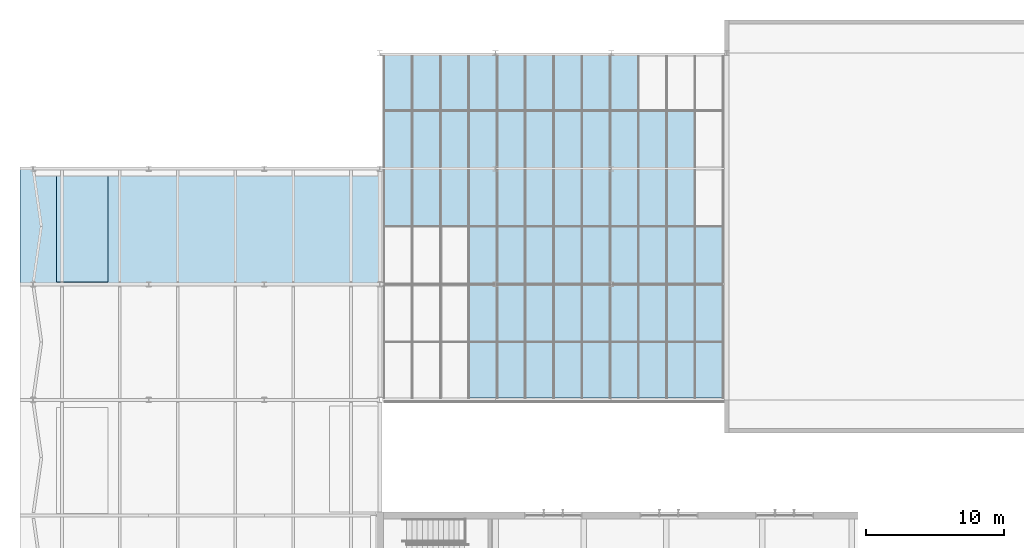
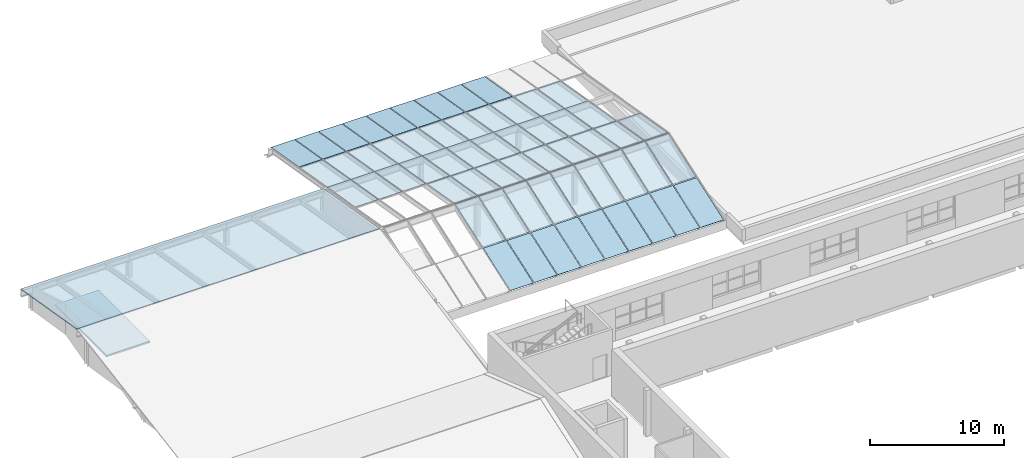
# One storey, part 33 of 60: 58 plates, 2 slabs, 2 elements without a shape of their own.
"""IFC4 building model written with IfcOpenShell, lengths in metres."""

from ifc_helpers import new_model, si_unit, direction, frame, origin, place, context, subcontext, project, spatial, polyline, outline, extrude, material, layer, layer_set, type_object, element, aggregate, save


model = new_model("IFC4")

# Units and contexts
model_context = context("Model", 3, precision=1e-05, world=origin(), true_north=direction((0.0, 1.0)))
body_context = subcontext(model_context, "Body", "Model", "MODEL_VIEW")
ifc_project = project(units=[si_unit("LENGTHUNIT", "METRE"), si_unit("AREAUNIT", "SQUARE_METRE"), si_unit("VOLUMEUNIT", "CUBIC_METRE"), si_unit("PLANEANGLEUNIT", "RADIAN"), si_unit("MASSUNIT", "GRAM", prefix="KILO")], contexts=[model_context])

# Site, building, storey
site_placement = place(None, origin())
site = spatial("IfcSite", under=ifc_project, at=site_placement, CompositionType="ELEMENT")
building_placement = place(site_placement, origin())
building = spatial("IfcBuilding", under=site, at=building_placement, Name="Ljudholm Concert House", CompositionType="ELEMENT")
storey_placement = place(building_placement, frame((0.0, 0.0, 15.0)))
storey = spatial("IfcBuildingStorey", under=building, at=storey_placement, Name="L03", CompositionType="ELEMENT", Elevation=15.0)

# Curtain wall, plates
ifc_material_1 = material(Name="Aluminium roof glazing with impact-rated laminated glass", Category="aluminium")
curtain_wall_type = type_object("IfcCurtainWallType", Name="GLAZED LANTERN ROOF", PredefinedType="NOTDEFINED", material=ifc_material_1)
curtain_wall_1_placement = place(storey_placement, origin())
curtain_wall_1 = element("IfcCurtainWall", 1, at=curtain_wall_1_placement, inside=storey, type_object=curtain_wall_type, Name="Glazed lantern roof", PredefinedType="NOTDEFINED")
ifc_material_2 = material(Name="Laminated impact-rated glass", Category="glass")
ifc_layer_1 = layer(ifc_material_2, 0.028076171875)
ifc_layer_set_1 = layer_set([ifc_layer_1], Name="Laminated impact-rated glass")
plate_type = type_object("IfcPlateType", Name="LANTERN GLASS PANEL 28", PredefinedType="CURTAIN_PANEL", material=ifc_layer_set_1)
plate_1_placement = place(storey_placement, frame((35.6923828125, 104.919921875, 0.682373046875), z_axis=(0.0, -0.332340085799, 0.943159619243), x_axis=(1.0, 0.0, 0.0)))
plate_1 = element("IfcPlate", 2, at=plate_1_placement, type_object=plate_type, Name="Lantern glass panel", PredefinedType="CURTAIN_PANEL", context=body_context, shape_type="SweptSolid", body=[
    extrude(outline(polyline([(0.0, 0.0), (1.994384765625, 0.0), (1.994384765625, 4.283515727424715), (0.0, 4.283515727424715), (0.0, 0.0)])), origin(), (0.0, 0.0, -1.0), 0.028076171875),
])
plate_2_placement = place(storey_placement, frame((35.6923828125, 109.0400390625, 2.134033203125), z_axis=(0.0, -0.332356366317, 0.943153882338), x_axis=(1.0, 0.0, 0.0)))
plate_2 = element("IfcPlate", 3, at=plate_2_placement, type_object=plate_type, Name="Lantern glass panel", PredefinedType="CURTAIN_PANEL", context=body_context, shape_type="SweptSolid", body=[
    extrude(outline(polyline([(0.0, 0.0), (1.994384765625, 0.0), (1.994384765625, 4.37880062823221), (0.0, 4.37880062823221), (0.0, 0.0)])), origin(), (0.0, 0.0, -1.0), 0.028076171875),
])
plate_3_placement = place(storey_placement, frame((37.74658203125, 104.919921875, 0.682373046875), z_axis=(0.0, -0.332340085799, 0.943159619243), x_axis=(1.0, 0.0, 0.0)))
plate_3 = element("IfcPlate", 4, at=plate_3_placement, type_object=plate_type, Name="Lantern glass panel", PredefinedType="CURTAIN_PANEL", context=body_context, shape_type="SweptSolid", body=[
    extrude(outline(polyline([(0.0, 0.0), (1.994140625, 0.0), (1.994140625, 4.283515727424715), (0.0, 4.283515727424715), (0.0, 0.0)])), origin(), (0.0, 0.0, -1.0), 0.028076171875),
])
plate_4_placement = place(storey_placement, frame((37.74658203125, 109.0400390625, 2.134033203125), z_axis=(0.0, -0.332356366317, 0.943153882338), x_axis=(1.0, 0.0, 0.0)))
plate_4 = element("IfcPlate", 5, at=plate_4_placement, type_object=plate_type, Name="Lantern glass panel", PredefinedType="CURTAIN_PANEL", context=body_context, shape_type="SweptSolid", body=[
    extrude(outline(polyline([(0.0, 0.0), (1.994140625, 0.0), (1.994140625, 4.378800628232209), (0.0, 4.378800628232209), (0.0, 0.0)])), origin(), (0.0, 0.0, -1.0), 0.028076171875),
])
plate_5_placement = place(storey_placement, frame((39.80078125, 104.919921875, 0.682373046875), z_axis=(0.0, -0.332340085799, 0.943159619243), x_axis=(1.0, 0.0, 0.0)))
plate_5 = element("IfcPlate", 6, at=plate_5_placement, type_object=plate_type, Name="Lantern glass panel", PredefinedType="CURTAIN_PANEL", context=body_context, shape_type="SweptSolid", body=[
    extrude(outline(polyline([(0.0, 0.0), (1.994140625, 0.0), (1.994140625, 4.283515727424715), (0.0, 4.283515727424715), (0.0, 0.0)])), origin(), (0.0, 0.0, -1.0), 0.028076171875),
])
plate_6_placement = place(storey_placement, frame((39.80078125, 109.0400390625, 2.134033203125), z_axis=(0.0, -0.332356366317, 0.943153882338), x_axis=(1.0, 0.0, 0.0)))
plate_6 = element("IfcPlate", 7, at=plate_6_placement, type_object=plate_type, Name="Lantern glass panel", PredefinedType="CURTAIN_PANEL", context=body_context, shape_type="SweptSolid", body=[
    extrude(outline(polyline([(0.0, 0.0), (1.994140625, 0.0), (1.994140625, 4.378800628232209), (0.0, 4.378800628232209), (0.0, 0.0)])), origin(), (0.0, 0.0, -1.0), 0.028076171875),
])
plate_7_placement = place(storey_placement, frame((41.85498046875, 104.919921875, 0.682373046875), z_axis=(0.0, -0.332340085799, 0.943159619243), x_axis=(1.0, 0.0, 0.0)))
plate_7 = element("IfcPlate", 8, at=plate_7_placement, type_object=plate_type, Name="Lantern glass panel", PredefinedType="CURTAIN_PANEL", context=body_context, shape_type="SweptSolid", body=[
    extrude(outline(polyline([(0.0, 0.0), (1.994140625, 0.0), (1.994140625, 4.283515727424715), (0.0, 4.283515727424715), (0.0, 0.0)])), origin(), (0.0, 0.0, -1.0), 0.028076171875),
])
plate_8_placement = place(storey_placement, frame((41.85498046875, 109.0400390625, 2.134033203125), z_axis=(0.0, -0.332356366317, 0.943153882338), x_axis=(1.0, 0.0, 0.0)))
plate_8 = element("IfcPlate", 9, at=plate_8_placement, type_object=plate_type, Name="Lantern glass panel", PredefinedType="CURTAIN_PANEL", context=body_context, shape_type="SweptSolid", body=[
    extrude(outline(polyline([(0.0, 0.0), (1.994140625, 0.0), (1.994140625, 4.378800628232209), (0.0, 4.378800628232209), (0.0, 0.0)])), origin(), (0.0, 0.0, -1.0), 0.028076171875),
])
plate_9_placement = place(storey_placement, frame((43.9091796875, 104.919921875, 0.682373046875), z_axis=(0.0, -0.332340085799, 0.943159619243), x_axis=(1.0, 0.0, 0.0)))
plate_9 = element("IfcPlate", 10, at=plate_9_placement, type_object=plate_type, Name="Lantern glass panel", PredefinedType="CURTAIN_PANEL", context=body_context, shape_type="SweptSolid", body=[
    extrude(outline(polyline([(0.0, 0.0), (1.994140625, 0.0), (1.994140625, 4.283515727424715), (0.0, 4.283515727424715), (0.0, 0.0)])), origin(), (0.0, 0.0, -1.0), 0.028076171875),
])
plate_10_placement = place(storey_placement, frame((43.9091796875, 109.0400390625, 2.134033203125), z_axis=(0.0, -0.332356366317, 0.943153882338), x_axis=(1.0, 0.0, 0.0)))
plate_10 = element("IfcPlate", 11, at=plate_10_placement, type_object=plate_type, Name="Lantern glass panel", PredefinedType="CURTAIN_PANEL", context=body_context, shape_type="SweptSolid", body=[
    extrude(outline(polyline([(0.0, 0.0), (1.994140625, 0.0), (1.994140625, 4.378800628232209), (0.0, 4.378800628232209), (0.0, 0.0)])), origin(), (0.0, 0.0, -1.0), 0.028076171875),
])
plate_11_placement = place(storey_placement, frame((45.96337890625, 104.919921875, 0.682373046875), z_axis=(0.0, -0.332340085799, 0.943159619243), x_axis=(1.0, 0.0, 0.0)))
plate_11 = element("IfcPlate", 12, at=plate_11_placement, type_object=plate_type, Name="Lantern glass panel", PredefinedType="CURTAIN_PANEL", context=body_context, shape_type="SweptSolid", body=[
    extrude(outline(polyline([(0.0, 0.0), (1.994140625, 0.0), (1.994140625, 4.283515727424715), (0.0, 4.283515727424715), (0.0, 0.0)])), origin(), (0.0, 0.0, -1.0), 0.028076171875),
])
plate_12_placement = place(storey_placement, frame((45.96337890625, 109.0400390625, 2.134033203125), z_axis=(0.0, -0.332356366317, 0.943153882338), x_axis=(1.0, 0.0, 0.0)))
plate_12 = element("IfcPlate", 13, at=plate_12_placement, type_object=plate_type, Name="Lantern glass panel", PredefinedType="CURTAIN_PANEL", context=body_context, shape_type="SweptSolid", body=[
    extrude(outline(polyline([(0.0, 0.0), (1.994140625, 0.0), (1.994140625, 4.378800628232209), (0.0, 4.378800628232209), (0.0, 0.0)])), origin(), (0.0, 0.0, -1.0), 0.028076171875),
])
plate_13_placement = place(storey_placement, frame((48.017578125, 104.919921875, 0.682373046875), z_axis=(0.0, -0.332340085799, 0.943159619243), x_axis=(1.0, 0.0, 0.0)))
plate_13 = element("IfcPlate", 14, at=plate_13_placement, type_object=plate_type, Name="Lantern glass panel", PredefinedType="CURTAIN_PANEL", context=body_context, shape_type="SweptSolid", body=[
    extrude(outline(polyline([(0.0, 0.0), (1.994140625, 0.0), (1.994140625, 4.283515727424715), (0.0, 4.283515727424715), (0.0, 0.0)])), origin(), (0.0, 0.0, -1.0), 0.028076171875),
])
plate_14_placement = place(storey_placement, frame((48.017578125, 109.0400390625, 2.134033203125), z_axis=(0.0, -0.332356366317, 0.943153882338), x_axis=(1.0, 0.0, 0.0)))
plate_14 = element("IfcPlate", 15, at=plate_14_placement, type_object=plate_type, Name="Lantern glass panel", PredefinedType="CURTAIN_PANEL", context=body_context, shape_type="SweptSolid", body=[
    extrude(outline(polyline([(0.0, 0.0), (1.994140625, 0.0), (1.994140625, 4.378800628232209), (0.0, 4.378800628232209), (0.0, 0.0)])), origin(), (0.0, 0.0, -1.0), 0.028076171875),
])
plate_15_placement = place(storey_placement, frame((50.07177734375, 104.919921875, 0.682373046875), z_axis=(0.0, -0.332340085799, 0.943159619243), x_axis=(1.0, 0.0, 0.0)))
plate_15 = element("IfcPlate", 16, at=plate_15_placement, type_object=plate_type, Name="Lantern glass panel", PredefinedType="CURTAIN_PANEL", context=body_context, shape_type="SweptSolid", body=[
    extrude(outline(polyline([(0.0, 0.0), (1.994140625, 0.0), (1.994140625, 4.283515727424715), (0.0, 4.283515727424715), (0.0, 0.0)])), origin(), (0.0, 0.0, -1.0), 0.028076171875),
])
plate_16_placement = place(storey_placement, frame((50.07177734375, 109.0400390625, 2.134033203125), z_axis=(0.0, -0.332356366317, 0.943153882338), x_axis=(1.0, 0.0, 0.0)))
plate_16 = element("IfcPlate", 17, at=plate_16_placement, type_object=plate_type, Name="Lantern glass panel", PredefinedType="CURTAIN_PANEL", context=body_context, shape_type="SweptSolid", body=[
    extrude(outline(polyline([(0.0, 0.0), (1.994140625, 0.0), (1.994140625, 4.378800628232209), (0.0, 4.378800628232209), (0.0, 0.0)])), origin(), (0.0, 0.0, -1.0), 0.028076171875),
])
plate_17_placement = place(storey_placement, frame((52.125732421875, 104.919921875, 0.682373046875), z_axis=(0.0, -0.332340085799, 0.943159619243), x_axis=(1.0, 0.0, 0.0)))
plate_17 = element("IfcPlate", 18, at=plate_17_placement, type_object=plate_type, Name="Lantern glass panel", PredefinedType="CURTAIN_PANEL", context=body_context, shape_type="SweptSolid", body=[
    extrude(outline(polyline([(0.0, 0.0), (1.994384765625, 0.0), (1.994384765625, 4.283515727424715), (0.0, 4.283515727424715), (0.0, 0.0)])), origin(), (0.0, 0.0, -1.0), 0.028076171875),
])
plate_18_placement = place(storey_placement, frame((52.125732421875, 109.0400390625, 2.134033203125), z_axis=(0.0, -0.332356366317, 0.943153882338), x_axis=(1.0, 0.0, 0.0)))
plate_18 = element("IfcPlate", 19, at=plate_18_placement, type_object=plate_type, Name="Lantern glass panel", PredefinedType="CURTAIN_PANEL", context=body_context, shape_type="SweptSolid", body=[
    extrude(outline(polyline([(0.0, 0.0), (1.994384765625, 0.0), (1.994384765625, 4.37880062823221), (0.0, 4.37880062823221), (0.0, 0.0)])), origin(), (0.0, 0.0, -1.0), 0.028076171875),
])
aggregate(curtain_wall_1, [plate_1, plate_2, plate_3, plate_4, plate_5, plate_6, plate_7, plate_8, plate_9, plate_10, plate_11, plate_12, plate_13, plate_14, plate_15, plate_16, plate_17, plate_18])

curtain_wall_2_placement = place(storey_placement, origin())
curtain_wall_2 = element("IfcCurtainWall", 20, at=curtain_wall_2_placement, inside=storey, type_object=curtain_wall_type, Name="Glazed lantern roof", PredefinedType="NOTDEFINED")
plate_19_placement = place(storey_placement, frame((29.530029296875, 117.43994140625, 2.876220703125), z_axis=(0.0, 0.168281382128, 0.985739000156), x_axis=(1.0, 0.0, 0.0)))
plate_19 = element("IfcPlate", 21, at=plate_19_placement, type_object=plate_type, Name="Lantern glass panel", PredefinedType="CURTAIN_PANEL", context=body_context, shape_type="SweptSolid", body=[
    extrude(outline(polyline([(0.0, 0.0), (1.994140625, 0.0), (1.994140625, 4.220342554510072), (0.0, 4.220342554510072), (0.0, 0.0)])), origin(), (0.0, 0.0, -1.0), 0.028076171875),
])
plate_20_placement = place(storey_placement, frame((31.584228515625, 117.43994140625, 2.876220703125), z_axis=(0.0, 0.168281382128, 0.985739000156), x_axis=(1.0, 0.0, 0.0)))
plate_20 = element("IfcPlate", 22, at=plate_20_placement, type_object=plate_type, Name="Lantern glass panel", PredefinedType="CURTAIN_PANEL", context=body_context, shape_type="SweptSolid", body=[
    extrude(outline(polyline([(0.0, 0.0), (1.994140625, 0.0), (1.994140625, 4.220342554510072), (0.0, 4.220342554510072), (0.0, 0.0)])), origin(), (0.0, 0.0, -1.0), 0.028076171875),
])
plate_21_placement = place(storey_placement, frame((33.638427734375, 117.43994140625, 2.876220703125), z_axis=(0.0, 0.168281382128, 0.985739000156), x_axis=(1.0, 0.0, 0.0)))
plate_21 = element("IfcPlate", 23, at=plate_21_placement, type_object=plate_type, Name="Lantern glass panel", PredefinedType="CURTAIN_PANEL", context=body_context, shape_type="SweptSolid", body=[
    extrude(outline(polyline([(0.0, 0.0), (1.994140625, 0.0), (1.994140625, 4.220342554510072), (0.0, 4.220342554510072), (0.0, 0.0)])), origin(), (0.0, 0.0, -1.0), 0.028076171875),
])
plate_22_placement = place(storey_placement, frame((35.6923828125, 113.22998046875, 3.594970703125), z_axis=(0.0, 0.168281272478, 0.985739018875), x_axis=(1.0, 0.0, 0.0)))
plate_22 = element("IfcPlate", 24, at=plate_22_placement, type_object=plate_type, Name="Lantern glass panel", PredefinedType="CURTAIN_PANEL", context=body_context, shape_type="SweptSolid", body=[
    extrude(outline(polyline([(0.0, 0.0), (1.994384765625, 0.0), (1.994384765625, 4.189878734675158), (0.0, 4.189878734675158), (0.0, 0.0)])), origin(), (0.0, 0.0, -1.0), 0.028076171875),
])
plate_23_placement = place(storey_placement, frame((35.6923828125, 117.43994140625, 2.876220703125), z_axis=(0.0, 0.168281382128, 0.985739000156), x_axis=(1.0, 0.0, 0.0)))
plate_23 = element("IfcPlate", 25, at=plate_23_placement, type_object=plate_type, Name="Lantern glass panel", PredefinedType="CURTAIN_PANEL", context=body_context, shape_type="SweptSolid", body=[
    extrude(outline(polyline([(0.0, 0.0), (1.994384765625, 0.0), (1.994384765625, 4.220342554510072), (0.0, 4.220342554510072), (0.0, 0.0)])), origin(), (0.0, 0.0, -1.0), 0.028076171875),
])
plate_24_placement = place(storey_placement, frame((37.74658203125, 113.22998046875, 3.594970703125), z_axis=(0.0, 0.168281272478, 0.985739018875), x_axis=(1.0, 0.0, 0.0)))
plate_24 = element("IfcPlate", 26, at=plate_24_placement, type_object=plate_type, Name="Lantern glass panel", PredefinedType="CURTAIN_PANEL", context=body_context, shape_type="SweptSolid", body=[
    extrude(outline(polyline([(0.0, 0.0), (1.994140625, 0.0), (1.994140625, 4.189878734675158), (0.0, 4.189878734675158), (0.0, 0.0)])), origin(), (0.0, 0.0, -1.0), 0.028076171875),
])
plate_25_placement = place(storey_placement, frame((37.74658203125, 117.43994140625, 2.876220703125), z_axis=(0.0, 0.168281382128, 0.985739000156), x_axis=(1.0, 0.0, 0.0)))
plate_25 = element("IfcPlate", 27, at=plate_25_placement, type_object=plate_type, Name="Lantern glass panel", PredefinedType="CURTAIN_PANEL", context=body_context, shape_type="SweptSolid", body=[
    extrude(outline(polyline([(0.0, 0.0), (1.994140625, 0.0), (1.994140625, 4.220342554510072), (0.0, 4.220342554510072), (0.0, 0.0)])), origin(), (0.0, 0.0, -1.0), 0.028076171875),
])
plate_26_placement = place(storey_placement, frame((39.80078125, 113.22998046875, 3.594970703125), z_axis=(0.0, 0.168281272478, 0.985739018875), x_axis=(1.0, 0.0, 0.0)))
plate_26 = element("IfcPlate", 28, at=plate_26_placement, type_object=plate_type, Name="Lantern glass panel", PredefinedType="CURTAIN_PANEL", context=body_context, shape_type="SweptSolid", body=[
    extrude(outline(polyline([(0.0, 0.0), (1.994140625, 0.0), (1.994140625, 4.189878734675158), (0.0, 4.189878734675158), (0.0, 0.0)])), origin(), (0.0, 0.0, -1.0), 0.028076171875),
])
plate_27_placement = place(storey_placement, frame((39.80078125, 117.43994140625, 2.876220703125), z_axis=(0.0, 0.168281382128, 0.985739000156), x_axis=(1.0, 0.0, 0.0)))
plate_27 = element("IfcPlate", 29, at=plate_27_placement, type_object=plate_type, Name="Lantern glass panel", PredefinedType="CURTAIN_PANEL", context=body_context, shape_type="SweptSolid", body=[
    extrude(outline(polyline([(0.0, 0.0), (1.994140625, 0.0), (1.994140625, 4.220342554510072), (0.0, 4.220342554510072), (0.0, 0.0)])), origin(), (0.0, 0.0, -1.0), 0.028076171875),
])
plate_28_placement = place(storey_placement, frame((41.85498046875, 113.22998046875, 3.594970703125), z_axis=(0.0, 0.168281272478, 0.985739018875), x_axis=(1.0, 0.0, 0.0)))
plate_28 = element("IfcPlate", 30, at=plate_28_placement, type_object=plate_type, Name="Lantern glass panel", PredefinedType="CURTAIN_PANEL", context=body_context, shape_type="SweptSolid", body=[
    extrude(outline(polyline([(0.0, 0.0), (1.994140625, 0.0), (1.994140625, 4.189878734675158), (0.0, 4.189878734675158), (0.0, 0.0)])), origin(), (0.0, 0.0, -1.0), 0.028076171875),
])
plate_29_placement = place(storey_placement, frame((41.85498046875, 117.43994140625, 2.876220703125), z_axis=(0.0, 0.168281382128, 0.985739000156), x_axis=(1.0, 0.0, 0.0)))
plate_29 = element("IfcPlate", 31, at=plate_29_placement, type_object=plate_type, Name="Lantern glass panel", PredefinedType="CURTAIN_PANEL", context=body_context, shape_type="SweptSolid", body=[
    extrude(outline(polyline([(0.0, 0.0), (1.994140625, 0.0), (1.994140625, 4.220342554510072), (0.0, 4.220342554510072), (0.0, 0.0)])), origin(), (0.0, 0.0, -1.0), 0.028076171875),
])
plate_30_placement = place(storey_placement, frame((43.9091796875, 113.22998046875, 3.594970703125), z_axis=(0.0, 0.168281272478, 0.985739018875), x_axis=(1.0, 0.0, 0.0)))
plate_30 = element("IfcPlate", 32, at=plate_30_placement, type_object=plate_type, Name="Lantern glass panel", PredefinedType="CURTAIN_PANEL", context=body_context, shape_type="SweptSolid", body=[
    extrude(outline(polyline([(0.0, 0.0), (1.994140625, 0.0), (1.994140625, 4.189878734675158), (0.0, 4.189878734675158), (0.0, 0.0)])), origin(), (0.0, 0.0, -1.0), 0.028076171875),
])
plate_31_placement = place(storey_placement, frame((43.9091796875, 117.43994140625, 2.876220703125), z_axis=(0.0, 0.168281382128, 0.985739000156), x_axis=(1.0, 0.0, 0.0)))
plate_31 = element("IfcPlate", 33, at=plate_31_placement, type_object=plate_type, Name="Lantern glass panel", PredefinedType="CURTAIN_PANEL", context=body_context, shape_type="SweptSolid", body=[
    extrude(outline(polyline([(0.0, 0.0), (1.994140625, 0.0), (1.994140625, 4.220342554510072), (0.0, 4.220342554510072), (0.0, 0.0)])), origin(), (0.0, 0.0, -1.0), 0.028076171875),
])
plate_32_placement = place(storey_placement, frame((45.96337890625, 113.22998046875, 3.594970703125), z_axis=(0.0, 0.168281272478, 0.985739018875), x_axis=(1.0, 0.0, 0.0)))
plate_32 = element("IfcPlate", 34, at=plate_32_placement, type_object=plate_type, Name="Lantern glass panel", PredefinedType="CURTAIN_PANEL", context=body_context, shape_type="SweptSolid", body=[
    extrude(outline(polyline([(0.0, 0.0), (1.994140625, 0.0), (1.994140625, 4.189878734675158), (0.0, 4.189878734675158), (0.0, 0.0)])), origin(), (0.0, 0.0, -1.0), 0.028076171875),
])
plate_33_placement = place(storey_placement, frame((45.96337890625, 117.43994140625, 2.876220703125), z_axis=(0.0, 0.168281382128, 0.985739000156), x_axis=(1.0, 0.0, 0.0)))
plate_33 = element("IfcPlate", 35, at=plate_33_placement, type_object=plate_type, Name="Lantern glass panel", PredefinedType="CURTAIN_PANEL", context=body_context, shape_type="SweptSolid", body=[
    extrude(outline(polyline([(0.0, 0.0), (1.994140625, 0.0), (1.994140625, 4.220342554510072), (0.0, 4.220342554510072), (0.0, 0.0)])), origin(), (0.0, 0.0, -1.0), 0.028076171875),
])
plate_34_placement = place(storey_placement, frame((48.017578125, 113.22998046875, 3.594970703125), z_axis=(0.0, 0.168281272478, 0.985739018875), x_axis=(1.0, 0.0, 0.0)))
plate_34 = element("IfcPlate", 36, at=plate_34_placement, type_object=plate_type, Name="Lantern glass panel", PredefinedType="CURTAIN_PANEL", context=body_context, shape_type="SweptSolid", body=[
    extrude(outline(polyline([(0.0, 0.0), (1.994140625, 0.0), (1.994140625, 4.189878734675158), (0.0, 4.189878734675158), (0.0, 0.0)])), origin(), (0.0, 0.0, -1.0), 0.028076171875),
])
plate_35_placement = place(storey_placement, frame((48.017578125, 117.43994140625, 2.876220703125), z_axis=(0.0, 0.168281382128, 0.985739000156), x_axis=(1.0, 0.0, 0.0)))
plate_35 = element("IfcPlate", 37, at=plate_35_placement, type_object=plate_type, Name="Lantern glass panel", PredefinedType="CURTAIN_PANEL", context=body_context, shape_type="SweptSolid", body=[
    extrude(outline(polyline([(0.0, 0.0), (1.994140625, 0.0), (1.994140625, 4.220342554510072), (0.0, 4.220342554510072), (0.0, 0.0)])), origin(), (0.0, 0.0, -1.0), 0.028076171875),
])
plate_36_placement = place(storey_placement, frame((50.07177734375, 113.22998046875, 3.594970703125), z_axis=(0.0, 0.168281272478, 0.985739018875), x_axis=(1.0, 0.0, 0.0)))
plate_36 = element("IfcPlate", 38, at=plate_36_placement, type_object=plate_type, Name="Lantern glass panel", PredefinedType="CURTAIN_PANEL", context=body_context, shape_type="SweptSolid", body=[
    extrude(outline(polyline([(0.0, 0.0), (1.994140625, 0.0), (1.994140625, 4.189878734675158), (0.0, 4.189878734675158), (0.0, 0.0)])), origin(), (0.0, 0.0, -1.0), 0.028076171875),
])
plate_37_placement = place(storey_placement, frame((50.07177734375, 117.43994140625, 2.876220703125), z_axis=(0.0, 0.168281382128, 0.985739000156), x_axis=(1.0, 0.0, 0.0)))
plate_37 = element("IfcPlate", 39, at=plate_37_placement, type_object=plate_type, Name="Lantern glass panel", PredefinedType="CURTAIN_PANEL", context=body_context, shape_type="SweptSolid", body=[
    extrude(outline(polyline([(0.0, 0.0), (1.994140625, 0.0), (1.994140625, 4.220342554510072), (0.0, 4.220342554510072), (0.0, 0.0)])), origin(), (0.0, 0.0, -1.0), 0.028076171875),
])
plate_38_placement = place(storey_placement, frame((52.125732421875, 113.22998046875, 3.594970703125), z_axis=(0.0, 0.168281272478, 0.985739018875), x_axis=(1.0, 0.0, 0.0)))
plate_38 = element("IfcPlate", 40, at=plate_38_placement, type_object=plate_type, Name="Lantern glass panel", PredefinedType="CURTAIN_PANEL", context=body_context, shape_type="SweptSolid", body=[
    extrude(outline(polyline([(0.0, 0.0), (1.994384765625, 0.0), (1.994384765625, 4.189878734675158), (0.0, 4.189878734675158), (0.0, 0.0)])), origin(), (0.0, 0.0, -1.0), 0.028076171875),
])
plate_39_placement = place(storey_placement, frame((29.530029296875, 121.60009765625, 2.166015625), z_axis=(0.0, 0.16829097867, 0.985737361825), x_axis=(1.0, 0.0, 0.0)))
plate_39 = element("IfcPlate", 41, at=plate_39_placement, type_object=plate_type, Name="Lantern glass panel", PredefinedType="CURTAIN_PANEL", context=body_context, shape_type="SweptSolid", body=[
    extrude(outline(polyline([(0.0, 0.0), (1.994140625, 0.0), (1.994140625, 4.220101895774473), (0.0, 4.220101895774473), (0.0, 0.0)])), origin(), (0.0, 0.0, -1.0), 0.028076171875),
])
plate_40_placement = place(storey_placement, frame((29.530029296875, 125.840087890625, 1.442138671875), z_axis=(0.0, 0.16829097867, 0.985737361825), x_axis=(1.0, 0.0, 0.0)))
plate_40 = element("IfcPlate", 42, at=plate_40_placement, type_object=plate_type, Name="Lantern glass panel", PredefinedType="CURTAIN_PANEL", context=body_context, shape_type="SweptSolid", body=[
    extrude(outline(polyline([(0.0, 0.0), (1.994140625, 0.0), (1.994140625, 4.220101895774473), (0.0, 4.220101895774473), (0.0, 0.0)])), origin(), (0.0, 0.0, -1.0), 0.028076171875),
])
plate_41_placement = place(storey_placement, frame((31.584228515625, 121.60009765625, 2.166015625), z_axis=(0.0, 0.16829097867, 0.985737361825), x_axis=(1.0, 0.0, 0.0)))
plate_41 = element("IfcPlate", 43, at=plate_41_placement, type_object=plate_type, Name="Lantern glass panel", PredefinedType="CURTAIN_PANEL", context=body_context, shape_type="SweptSolid", body=[
    extrude(outline(polyline([(0.0, 0.0), (1.994140625, 0.0), (1.994140625, 4.220101895774473), (0.0, 4.220101895774473), (0.0, 0.0)])), origin(), (0.0, 0.0, -1.0), 0.028076171875),
])
plate_42_placement = place(storey_placement, frame((31.584228515625, 125.840087890625, 1.442138671875), z_axis=(0.0, 0.16829097867, 0.985737361825), x_axis=(1.0, 0.0, 0.0)))
plate_42 = element("IfcPlate", 44, at=plate_42_placement, type_object=plate_type, Name="Lantern glass panel", PredefinedType="CURTAIN_PANEL", context=body_context, shape_type="SweptSolid", body=[
    extrude(outline(polyline([(0.0, 0.0), (1.994140625, 0.0), (1.994140625, 4.220101895774473), (0.0, 4.220101895774473), (0.0, 0.0)])), origin(), (0.0, 0.0, -1.0), 0.028076171875),
])
plate_43_placement = place(storey_placement, frame((33.638427734375, 121.60009765625, 2.166015625), z_axis=(0.0, 0.16829097867, 0.985737361825), x_axis=(1.0, 0.0, 0.0)))
plate_43 = element("IfcPlate", 45, at=plate_43_placement, type_object=plate_type, Name="Lantern glass panel", PredefinedType="CURTAIN_PANEL", context=body_context, shape_type="SweptSolid", body=[
    extrude(outline(polyline([(0.0, 0.0), (1.994140625, 0.0), (1.994140625, 4.220101895774473), (0.0, 4.220101895774473), (0.0, 0.0)])), origin(), (0.0, 0.0, -1.0), 0.028076171875),
])
plate_44_placement = place(storey_placement, frame((33.638427734375, 125.840087890625, 1.442138671875), z_axis=(0.0, 0.16829097867, 0.985737361825), x_axis=(1.0, 0.0, 0.0)))
plate_44 = element("IfcPlate", 46, at=plate_44_placement, type_object=plate_type, Name="Lantern glass panel", PredefinedType="CURTAIN_PANEL", context=body_context, shape_type="SweptSolid", body=[
    extrude(outline(polyline([(0.0, 0.0), (1.994140625, 0.0), (1.994140625, 4.220101895774473), (0.0, 4.220101895774473), (0.0, 0.0)])), origin(), (0.0, 0.0, -1.0), 0.028076171875),
])
plate_45_placement = place(storey_placement, frame((35.6923828125, 121.60009765625, 2.166015625), z_axis=(0.0, 0.16829097867, 0.985737361825), x_axis=(1.0, 0.0, 0.0)))
plate_45 = element("IfcPlate", 47, at=plate_45_placement, type_object=plate_type, Name="Lantern glass panel", PredefinedType="CURTAIN_PANEL", context=body_context, shape_type="SweptSolid", body=[
    extrude(outline(polyline([(0.0, 0.0), (1.994384765625, 0.0), (1.994384765625, 4.220101895774473), (0.0, 4.220101895774473), (0.0, 0.0)])), origin(), (0.0, 0.0, -1.0), 0.028076171875),
])
plate_46_placement = place(storey_placement, frame((35.6923828125, 125.840087890625, 1.442138671875), z_axis=(0.0, 0.16829097867, 0.985737361825), x_axis=(1.0, 0.0, 0.0)))
plate_46 = element("IfcPlate", 48, at=plate_46_placement, type_object=plate_type, Name="Lantern glass panel", PredefinedType="CURTAIN_PANEL", context=body_context, shape_type="SweptSolid", body=[
    extrude(outline(polyline([(0.0, 0.0), (1.994384765625, 0.0), (1.994384765625, 4.220101895774473), (0.0, 4.220101895774473), (0.0, 0.0)])), origin(), (0.0, 0.0, -1.0), 0.028076171875),
])
plate_47_placement = place(storey_placement, frame((37.74658203125, 121.60009765625, 2.166015625), z_axis=(0.0, 0.16829097867, 0.985737361825), x_axis=(1.0, 0.0, 0.0)))
plate_47 = element("IfcPlate", 49, at=plate_47_placement, type_object=plate_type, Name="Lantern glass panel", PredefinedType="CURTAIN_PANEL", context=body_context, shape_type="SweptSolid", body=[
    extrude(outline(polyline([(0.0, 0.0), (1.994140625, 0.0), (1.994140625, 4.220101895774473), (0.0, 4.220101895774473), (0.0, 0.0)])), origin(), (0.0, 0.0, -1.0), 0.028076171875),
])
plate_48_placement = place(storey_placement, frame((37.74658203125, 125.840087890625, 1.442138671875), z_axis=(0.0, 0.16829097867, 0.985737361825), x_axis=(1.0, 0.0, 0.0)))
plate_48 = element("IfcPlate", 50, at=plate_48_placement, type_object=plate_type, Name="Lantern glass panel", PredefinedType="CURTAIN_PANEL", context=body_context, shape_type="SweptSolid", body=[
    extrude(outline(polyline([(0.0, 0.0), (1.994140625, 0.0), (1.994140625, 4.220101895774473), (0.0, 4.220101895774473), (0.0, 0.0)])), origin(), (0.0, 0.0, -1.0), 0.028076171875),
])
plate_49_placement = place(storey_placement, frame((39.80078125, 121.60009765625, 2.166015625), z_axis=(0.0, 0.16829097867, 0.985737361825), x_axis=(1.0, 0.0, 0.0)))
plate_49 = element("IfcPlate", 51, at=plate_49_placement, type_object=plate_type, Name="Lantern glass panel", PredefinedType="CURTAIN_PANEL", context=body_context, shape_type="SweptSolid", body=[
    extrude(outline(polyline([(0.0, 0.0), (1.994140625, 0.0), (1.994140625, 4.220101895774473), (0.0, 4.220101895774473), (0.0, 0.0)])), origin(), (0.0, 0.0, -1.0), 0.028076171875),
])
plate_50_placement = place(storey_placement, frame((39.80078125, 125.840087890625, 1.442138671875), z_axis=(0.0, 0.16829097867, 0.985737361825), x_axis=(1.0, 0.0, 0.0)))
plate_50 = element("IfcPlate", 52, at=plate_50_placement, type_object=plate_type, Name="Lantern glass panel", PredefinedType="CURTAIN_PANEL", context=body_context, shape_type="SweptSolid", body=[
    extrude(outline(polyline([(0.0, 0.0), (1.994140625, 0.0), (1.994140625, 4.220101895774473), (0.0, 4.220101895774473), (0.0, 0.0)])), origin(), (0.0, 0.0, -1.0), 0.028076171875),
])
plate_51_placement = place(storey_placement, frame((41.85498046875, 121.60009765625, 2.166015625), z_axis=(0.0, 0.16829097867, 0.985737361825), x_axis=(1.0, 0.0, 0.0)))
plate_51 = element("IfcPlate", 53, at=plate_51_placement, type_object=plate_type, Name="Lantern glass panel", PredefinedType="CURTAIN_PANEL", context=body_context, shape_type="SweptSolid", body=[
    extrude(outline(polyline([(0.0, 0.0), (1.994140625, 0.0), (1.994140625, 4.220101895774473), (0.0, 4.220101895774473), (0.0, 0.0)])), origin(), (0.0, 0.0, -1.0), 0.028076171875),
])
plate_52_placement = place(storey_placement, frame((41.85498046875, 125.840087890625, 1.442138671875), z_axis=(0.0, 0.16829097867, 0.985737361825), x_axis=(1.0, 0.0, 0.0)))
plate_52 = element("IfcPlate", 54, at=plate_52_placement, type_object=plate_type, Name="Lantern glass panel", PredefinedType="CURTAIN_PANEL", context=body_context, shape_type="SweptSolid", body=[
    extrude(outline(polyline([(0.0, 0.0), (1.994140625, 0.0), (1.994140625, 4.220101895774473), (0.0, 4.220101895774473), (0.0, 0.0)])), origin(), (0.0, 0.0, -1.0), 0.028076171875),
])
plate_53_placement = place(storey_placement, frame((43.9091796875, 121.60009765625, 2.166015625), z_axis=(0.0, 0.16829097867, 0.985737361825), x_axis=(1.0, 0.0, 0.0)))
plate_53 = element("IfcPlate", 55, at=plate_53_placement, type_object=plate_type, Name="Lantern glass panel", PredefinedType="CURTAIN_PANEL", context=body_context, shape_type="SweptSolid", body=[
    extrude(outline(polyline([(0.0, 0.0), (1.994140625, 0.0), (1.994140625, 4.220101895774473), (0.0, 4.220101895774473), (0.0, 0.0)])), origin(), (0.0, 0.0, -1.0), 0.028076171875),
])
plate_54_placement = place(storey_placement, frame((43.9091796875, 125.840087890625, 1.442138671875), z_axis=(0.0, 0.16829097867, 0.985737361825), x_axis=(1.0, 0.0, 0.0)))
plate_54 = element("IfcPlate", 56, at=plate_54_placement, type_object=plate_type, Name="Lantern glass panel", PredefinedType="CURTAIN_PANEL", context=body_context, shape_type="SweptSolid", body=[
    extrude(outline(polyline([(0.0, 0.0), (1.994140625, 0.0), (1.994140625, 4.220101895774473), (0.0, 4.220101895774473), (0.0, 0.0)])), origin(), (0.0, 0.0, -1.0), 0.028076171875),
])
plate_55_placement = place(storey_placement, frame((45.96337890625, 121.60009765625, 2.166015625), z_axis=(0.0, 0.16829097867, 0.985737361825), x_axis=(1.0, 0.0, 0.0)))
plate_55 = element("IfcPlate", 57, at=plate_55_placement, type_object=plate_type, Name="Lantern glass panel", PredefinedType="CURTAIN_PANEL", context=body_context, shape_type="SweptSolid", body=[
    extrude(outline(polyline([(0.0, 0.0), (1.994140625, 0.0), (1.994140625, 4.220101895774473), (0.0, 4.220101895774473), (0.0, 0.0)])), origin(), (0.0, 0.0, -1.0), 0.028076171875),
])
plate_56_placement = place(storey_placement, frame((45.96337890625, 125.840087890625, 1.442138671875), z_axis=(0.0, 0.16829097867, 0.985737361825), x_axis=(1.0, 0.0, 0.0)))
plate_56 = element("IfcPlate", 58, at=plate_56_placement, type_object=plate_type, Name="Lantern glass panel", PredefinedType="CURTAIN_PANEL", context=body_context, shape_type="SweptSolid", body=[
    extrude(outline(polyline([(0.0, 0.0), (1.994140625, 0.0), (1.994140625, 4.220101895774473), (0.0, 4.220101895774473), (0.0, 0.0)])), origin(), (0.0, 0.0, -1.0), 0.028076171875),
])
plate_57_placement = place(storey_placement, frame((48.017578125, 121.60009765625, 2.166015625), z_axis=(0.0, 0.16829097867, 0.985737361825), x_axis=(1.0, 0.0, 0.0)))
plate_57 = element("IfcPlate", 59, at=plate_57_placement, type_object=plate_type, Name="Lantern glass panel", PredefinedType="CURTAIN_PANEL", context=body_context, shape_type="SweptSolid", body=[
    extrude(outline(polyline([(0.0, 0.0), (1.994140625, 0.0), (1.994140625, 4.220101895774473), (0.0, 4.220101895774473), (0.0, 0.0)])), origin(), (0.0, 0.0, -1.0), 0.028076171875),
])
plate_58_placement = place(storey_placement, frame((50.07177734375, 121.60009765625, 2.166015625), z_axis=(0.0, 0.16829097867, 0.985737361825), x_axis=(1.0, 0.0, 0.0)))
plate_58 = element("IfcPlate", 60, at=plate_58_placement, type_object=plate_type, Name="Lantern glass panel", PredefinedType="CURTAIN_PANEL", context=body_context, shape_type="SweptSolid", body=[
    extrude(outline(polyline([(0.0, 0.0), (1.994140625, 0.0), (1.994140625, 4.220101895774473), (0.0, 4.220101895774473), (0.0, 0.0)])), origin(), (0.0, 0.0, -1.0), 0.028076171875),
])
aggregate(curtain_wall_2, [plate_19, plate_20, plate_21, plate_22, plate_23, plate_24, plate_25, plate_26, plate_27, plate_28, plate_29, plate_30, plate_31, plate_32, plate_33, plate_34, plate_35, plate_36, plate_37, plate_38, plate_39, plate_40, plate_41, plate_42, plate_43, plate_44, plate_45, plate_46, plate_47, plate_48, plate_49, plate_50, plate_51, plate_52, plate_53, plate_54, plate_55, plate_56, plate_57, plate_58])

# Slabs
ifc_material_3 = material(Name="Concrete 5,000 psi", Category="concrete")
ifc_layer_2 = layer(ifc_material_3, 0.14990234375)
ifc_layer_set_2 = layer_set([ifc_layer_2], Name="Concrete 5,000 psi")
slab_type_1 = type_object("IfcSlabType", Name="RC ROOF SLAB 150", PredefinedType="ROOF", material=ifc_layer_set_2)
slab_1_placement = place(storey_placement, origin())
element("IfcSlab", 61, at=slab_1_placement, inside=storey, type_object=slab_type_1, Name="Stair shaft cap", PredefinedType="ROOF", context=body_context, shape_type="SweptSolid", body=[
    extrude(outline(polyline([(5.699951171875, 113.35009765625), (9.449951171875, 113.35009765625), (9.449951171875, 121.050048828125), (5.699951171875, 121.050048828125), (5.699951171875, 113.35009765625)])), origin(), (0.0, 0.0, 1.0), 0.14990234375),
])
ifc_material_4 = material(Name="Steel ASTM A653 Gr. 50", Category="steel")
ifc_layer_3 = layer(ifc_material_4, 0.10009765625)
ifc_layer_set_3 = layer_set([ifc_layer_3], Name="Steel ASTM A653 Gr. 50")
slab_type_2 = type_object("IfcSlabType", Name="STEEL ROOF DECK 100", PredefinedType="ROOF", material=ifc_layer_set_3)
slab_2_placement = place(storey_placement, frame((3.050048828125, 113.217041015625, 3.59716796875), z_axis=(0.0, 0.168284896806, 0.985738400138), x_axis=(1.0, 0.0, 0.0)))
element("IfcSlab", 62, at=slab_2_placement, inside=storey, type_object=slab_type_2, Name="Roof deck", PredefinedType="ROOF", context=body_context, shape_type="SweptSolid", body=[
    extrude(outline(polyline([(0.0, 0.0), (26.14990234375, 0.0), (26.14990234375, 8.504342165679132), (0.0, 8.504342165679132), (0.0, 0.0)])), origin(), (0.0, 0.0, -1.0), 0.10009765625),
])

save(model, "model.ifc")
